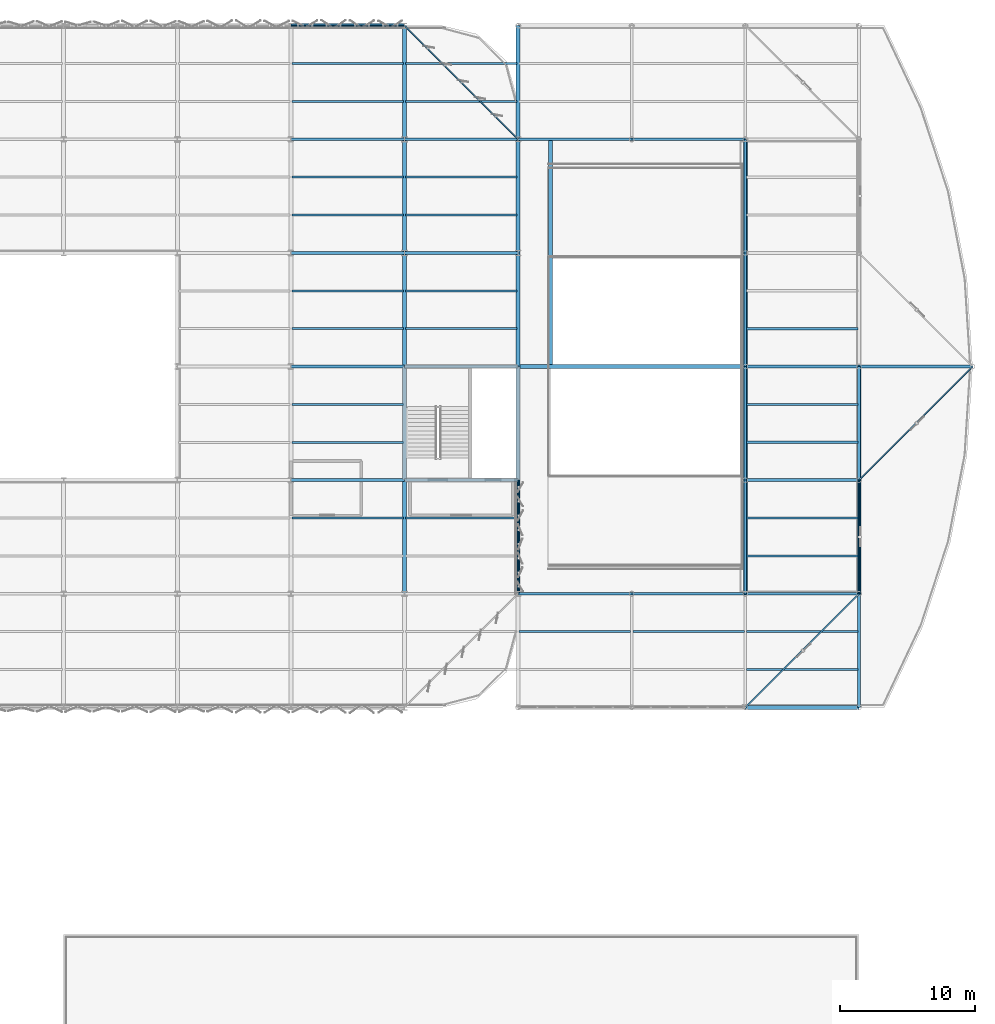
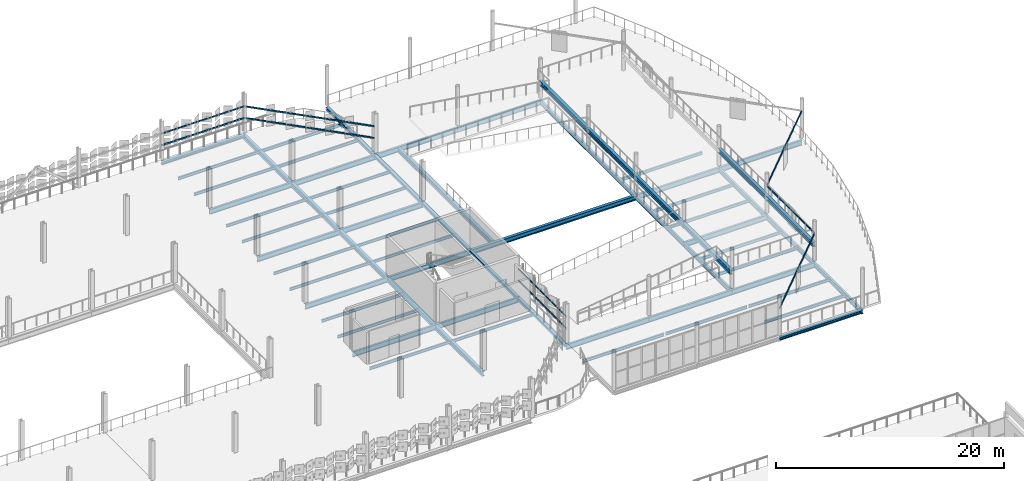
# One storey, part 132 of 184: 77 beams.
"""IFC4 building model written with IfcOpenShell, lengths in metres."""

from ifc_helpers import new_model, si_unit, direction, frame, origin, origin_2d, place, context, subcontext, project, spatial, hollow_rectangle, i_section, extrude, material, material_profile, profile_set, type_object, element, save


model = new_model("IFC4")

# Units and contexts
model_context = context("Model", 3, precision=1e-05, world=origin(), true_north=direction((0.0, 1.0)))
body_context = subcontext(model_context, "Body", "Model", "MODEL_VIEW")
ifc_project = project(units=[si_unit("LENGTHUNIT", "METRE"), si_unit("AREAUNIT", "SQUARE_METRE"), si_unit("VOLUMEUNIT", "CUBIC_METRE"), si_unit("PLANEANGLEUNIT", "RADIAN"), si_unit("MASSUNIT", "GRAM", prefix="KILO")], contexts=[model_context])

# Site, building, storey
site_placement = place(None, origin())
site = spatial("IfcSite", under=ifc_project, at=site_placement, CompositionType="ELEMENT")
building_placement = place(site_placement, origin())
building = spatial("IfcBuilding", under=site, at=building_placement, Name="Qalvenar Corner Mobility Hub", CompositionType="ELEMENT")
storey_placement = place(building_placement, frame((0.0, 0.0, 9.0)))
storey = spatial("IfcBuildingStorey", under=building, at=storey_placement, Name="L02", CompositionType="ELEMENT", Elevation=9.0)

# Beams
ifc_material = material(Name="Steel S355", Category="steel")
ifc_material_profile_1 = material_profile(ifc_material, i_section(OverallWidth=0.300048828125, OverallDepth=0.489990234375, WebThickness=0.011962890625, FlangeThickness=0.02294921875, FilletRadius=0.027099609375, at=origin_2d()), Name="HEA500")
ifc_profile_set_1 = profile_set([ifc_material_profile_1], Name="Steel S355")
beam_type_1 = type_object("IfcBeamType", Name="BM-HEA500", PredefinedType="BEAM", material=ifc_profile_set_1)
for number, where, z_axis, x_axis, name in (
    (1, (134.39990234375, 75.60009765625, -0.485107421875), (0.0, 1.0, 0.0), (-1.0, 0.0, 0.0), "Primary Steel Girder GY-2011"),
    (2, (134.39990234375, 84.0, -0.485107421875), (0.0, 1.0, 0.0), (-1.0, 0.0, 0.0), "Primary Steel Girder GY-2012"),
):
    element("IfcBeam", number, at=place(storey_placement, frame(where, z_axis=z_axis, x_axis=x_axis)), inside=storey, type_object=beam_type_1, Name=name, PredefinedType="BEAM", context=body_context, shape_type="SweptSolid", body=[
        extrude(i_section(OverallWidth=0.300048828125, OverallDepth=0.489990234375, WebThickness=0.011962890625, FlangeThickness=0.02294921875, FilletRadius=0.027099609375, at=origin_2d()), origin(), (0.0, 0.0, 1.0), 8.39990234375),
    ])
beam_1_placement = place(storey_placement, frame((134.39990234375, 92.39990234375, -0.485107421875), z_axis=(0.0, 1.0, 0.0), x_axis=(-1.0, 0.0, 0.0)))
element("IfcBeam", 3, at=beam_1_placement, inside=storey, type_object=beam_type_1, Name="Primary Steel Girder GY-2013", PredefinedType="BEAM", context=body_context, shape_type="SweptSolid", body=[
    extrude(i_section(OverallWidth=0.300048828125, OverallDepth=0.489990234375, WebThickness=0.011962890625, FlangeThickness=0.02294921875, FilletRadius=0.027099609375, at=origin_2d()), origin(), (0.0, 0.0, 1.0), 8.400146484375),
])
beam_2_placement = place(storey_placement, frame((134.39990234375, 100.800048828125, -0.485107421875), z_axis=(0.0, 1.0, 0.0), x_axis=(-1.0, 0.0, 0.0)))
element("IfcBeam", 4, at=beam_2_placement, inside=storey, type_object=beam_type_1, Name="Primary Steel Girder GY-2014", PredefinedType="BEAM", context=body_context, shape_type="SweptSolid", body=[
    extrude(i_section(OverallWidth=0.300048828125, OverallDepth=0.489990234375, WebThickness=0.011962890625, FlangeThickness=0.02294921875, FilletRadius=0.027099609375, at=origin_2d()), origin(), (0.0, 0.0, 1.0), 8.39990234375),
])
beam_3_placement = place(storey_placement, frame((134.39990234375, 109.199951171875, -0.485107421875), z_axis=(0.0, 1.0, 0.0), x_axis=(-1.0, 0.0, 0.0)))
element("IfcBeam", 5, at=beam_3_placement, inside=storey, type_object=beam_type_1, Name="Primary Steel Girder GY-2015", PredefinedType="BEAM", context=body_context, shape_type="SweptSolid", body=[
    extrude(i_section(OverallWidth=0.300048828125, OverallDepth=0.489990234375, WebThickness=0.011962890625, FlangeThickness=0.02294921875, FilletRadius=0.027099609375, at=origin_2d()), origin(), (0.0, 0.0, 1.0), 8.400146484375),
])
for number, where, z_axis, x_axis, name in (
    (6, (142.800048828125, 92.39990234375, -0.512939453125), (1.0, 0.0, 0.0), (0.0, 1.0, 0.0), "Ramp Well Central Tie Girder L02"),
    (7, (145.199951171875, 92.39990234375, -0.512939453125), (0.0, 1.0, 0.0), (-1.0, 0.0, 0.0), "Ramp West Header Girder L02-HI"),
):
    element("IfcBeam", number, at=place(storey_placement, frame(where, z_axis=z_axis, x_axis=x_axis)), inside=storey, type_object=beam_type_1, Name=name, PredefinedType="BEAM", context=body_context, shape_type="SweptSolid", body=[
        extrude(i_section(OverallWidth=0.300048828125, OverallDepth=0.489990234375, WebThickness=0.011962890625, FlangeThickness=0.02294921875, FilletRadius=0.027099609375, at=origin_2d()), origin(), (0.0, 0.0, 1.0), 16.800048828125),
    ])
for number, where, z_axis, x_axis, name in (
    (8, (159.60009765625, 75.60009765625, 1.596923828125), (0.0, 1.0, 0.0), (-1.0, 0.0, 0.0), "Ramp Mid-Landing Girder L02-159-75"),
    (9, (159.60009765625, 84.0, 1.596923828125), (0.0, 1.0, 0.0), (-1.0, 0.0, 0.0), "Ramp Mid-Landing Girder L02-159-84"),
):
    element("IfcBeam", number, at=place(storey_placement, frame(where, z_axis=z_axis, x_axis=x_axis)), inside=storey, type_object=beam_type_1, Name=name, PredefinedType="BEAM", context=body_context, shape_type="SweptSolid", body=[
        extrude(i_section(OverallWidth=0.300048828125, OverallDepth=0.489990234375, WebThickness=0.011962890625, FlangeThickness=0.02294921875, FilletRadius=0.027099609375, at=origin_2d()), origin(), (0.0, 0.0, 1.0), 8.39990234375),
    ])
beam_4_placement = place(storey_placement, frame((159.60009765625, 92.39990234375, 1.596923828125), z_axis=(0.0, 1.0, 0.0), x_axis=(-1.0, 0.0, 0.0)))
element("IfcBeam", 10, at=beam_4_placement, inside=storey, type_object=beam_type_1, Name="Ramp Mid-Landing Girder L02-159-92", PredefinedType="BEAM", context=body_context, shape_type="SweptSolid", body=[
    extrude(i_section(OverallWidth=0.300048828125, OverallDepth=0.489990234375, WebThickness=0.011962890625, FlangeThickness=0.02294921875, FilletRadius=0.027099609375, at=origin_2d()), origin(), (0.0, 0.0, 1.0), 8.400146484375),
])
for number, where, z_axis, x_axis, name in (
    (11, (159.60009765625, 100.800048828125, 1.596923828125), (0.0, 1.0, 0.0), (-1.0, 0.0, 0.0), "Ramp Mid-Landing Girder L02-159-100"),
    (12, (168.0, 75.60009765625, 1.635009765625), (0.0, 1.0, 0.0), (-1.0, 0.0, 0.0), "Ramp Mid-Landing Girder L02-168-75"),
    (13, (168.0, 84.0, 1.635009765625), (0.0, 1.0, 0.0), (-1.0, 0.0, 0.0), "Ramp Mid-Landing Girder L02-168-84"),
):
    element("IfcBeam", number, at=place(storey_placement, frame(where, z_axis=z_axis, x_axis=x_axis)), inside=storey, type_object=beam_type_1, Name=name, PredefinedType="BEAM", context=body_context, shape_type="SweptSolid", body=[
        extrude(i_section(OverallWidth=0.300048828125, OverallDepth=0.489990234375, WebThickness=0.011962890625, FlangeThickness=0.02294921875, FilletRadius=0.027099609375, at=origin_2d()), origin(), (0.0, 0.0, 1.0), 8.39990234375),
    ])
ifc_material_profile_2 = material_profile(ifc_material, i_section(OverallWidth=0.199951171875, OverallDepth=0.5, WebThickness=0.01025390625, FlangeThickness=0.01611328125, FilletRadius=0.02099609375, at=origin_2d()), Name="IPE500")
ifc_profile_set_2 = profile_set([ifc_material_profile_2], Name="Steel S355")
beam_type_2 = type_object("IfcBeamType", Name="BM-IPE500", PredefinedType="BEAM", material=ifc_profile_set_2)
for number, where, z_axis, x_axis, name in (
    (14, (159.60009765625, 75.60009765625, -0.489990234375), (0.0, 1.0, 0.0), (-1.0, 0.0, 0.0), "Primary Steel Girder GY-2133"),
    (15, (159.60009765625, 84.0, -0.489990234375), (0.0, 1.0, 0.0), (-1.0, 0.0, 0.0), "Primary Steel Girder GY-2134"),
):
    element("IfcBeam", number, at=place(storey_placement, frame(where, z_axis=z_axis, x_axis=x_axis)), inside=storey, type_object=beam_type_2, Name=name, PredefinedType="BEAM", context=body_context, shape_type="SweptSolid", body=[
        extrude(i_section(OverallWidth=0.199951171875, OverallDepth=0.5, WebThickness=0.01025390625, FlangeThickness=0.01611328125, FilletRadius=0.02099609375, at=origin_2d()), origin(), (0.0, 0.0, 1.0), 8.39990234375),
    ])
beam_5_placement = place(storey_placement, frame((159.60009765625, 92.39990234375, -0.489990234375), z_axis=(0.0, 1.0, 0.0), x_axis=(-1.0, 0.0, 0.0)))
element("IfcBeam", 16, at=beam_5_placement, inside=storey, type_object=beam_type_2, Name="Primary Steel Girder GY-2135", PredefinedType="BEAM", context=body_context, shape_type="SweptSolid", body=[
    extrude(i_section(OverallWidth=0.199951171875, OverallDepth=0.5, WebThickness=0.01025390625, FlangeThickness=0.01611328125, FilletRadius=0.02099609375, at=origin_2d()), origin(), (0.0, 0.0, 1.0), 8.400146484375),
])
beam_6_placement = place(storey_placement, frame((159.60009765625, 100.800048828125, -0.489990234375), z_axis=(0.0, 1.0, 0.0), x_axis=(-1.0, 0.0, 0.0)))
element("IfcBeam", 17, at=beam_6_placement, inside=storey, type_object=beam_type_2, Name="Primary Steel Girder GY-2136", PredefinedType="BEAM", context=body_context, shape_type="SweptSolid", body=[
    extrude(i_section(OverallWidth=0.199951171875, OverallDepth=0.5, WebThickness=0.01025390625, FlangeThickness=0.01611328125, FilletRadius=0.02099609375, at=origin_2d()), origin(), (0.0, 0.0, 1.0), 8.39990234375),
])
beam_7_placement = place(storey_placement, frame((168.0, 67.199951171875, -0.489990234375), z_axis=(0.0, 1.0, 0.0), x_axis=(-1.0, 0.0, 0.0)))
element("IfcBeam", 18, at=beam_7_placement, inside=storey, type_object=beam_type_2, Name="Primary Steel Girder GY-2138", PredefinedType="BEAM", context=body_context, shape_type="SweptSolid", body=[
    extrude(i_section(OverallWidth=0.199951171875, OverallDepth=0.5, WebThickness=0.01025390625, FlangeThickness=0.01611328125, FilletRadius=0.02099609375, at=origin_2d()), origin(), (0.0, 0.0, 1.0), 8.400146484375),
])
for number, where, z_axis, x_axis, name in (
    (19, (168.0, 75.60009765625, -0.489990234375), (0.0, 1.0, 0.0), (-1.0, 0.0, 0.0), "Primary Steel Girder GY-2139"),
    (20, (168.0, 84.0, -0.489990234375), (0.0, 1.0, 0.0), (-1.0, 0.0, 0.0), "Primary Steel Girder GY-2140"),
):
    element("IfcBeam", number, at=place(storey_placement, frame(where, z_axis=z_axis, x_axis=x_axis)), inside=storey, type_object=beam_type_2, Name=name, PredefinedType="BEAM", context=body_context, shape_type="SweptSolid", body=[
        extrude(i_section(OverallWidth=0.199951171875, OverallDepth=0.5, WebThickness=0.01025390625, FlangeThickness=0.01611328125, FilletRadius=0.02099609375, at=origin_2d()), origin(), (0.0, 0.0, 1.0), 8.39990234375),
    ])
ifc_material_profile_3 = material_profile(ifc_material, i_section(OverallWidth=0.2099609375, OverallDepth=0.550048828125, WebThickness=0.010986328125, FlangeThickness=0.01708984375, FilletRadius=0.02392578125, at=origin_2d()), Name="IPE550")
ifc_profile_set_3 = profile_set([ifc_material_profile_3], Name="Steel S355")
beam_type_3 = type_object("IfcBeamType", Name="BM-IPE550", PredefinedType="BEAM", material=ifc_profile_set_3)
beam_8_placement = place(storey_placement, frame((126.0, 84.0, -0.514892578125), z_axis=(1.0, 0.0, 0.0), x_axis=(0.0, 1.0, 0.0)))
element("IfcBeam", 21, at=beam_8_placement, inside=storey, type_object=beam_type_3, Name="Primary Steel Girder GX-1928", PredefinedType="BEAM", context=body_context, shape_type="SweptSolid", body=[
    extrude(i_section(OverallWidth=0.2099609375, OverallDepth=0.550048828125, WebThickness=0.010986328125, FlangeThickness=0.01708984375, FilletRadius=0.02392578125, at=origin_2d()), origin(), (0.0, 0.0, 1.0), 8.39990234375),
])
beam_9_placement = place(storey_placement, frame((134.39990234375, 84.0, -0.514892578125), z_axis=(1.0, 0.0, 0.0), x_axis=(0.0, 1.0, 0.0)))
element("IfcBeam", 22, at=beam_9_placement, inside=storey, type_object=beam_type_3, Name="Primary Steel Girder GX-1929", PredefinedType="BEAM", context=body_context, shape_type="SweptSolid", body=[
    extrude(i_section(OverallWidth=0.2099609375, OverallDepth=0.550048828125, WebThickness=0.010986328125, FlangeThickness=0.01708984375, FilletRadius=0.02392578125, at=origin_2d()), origin(), (0.0, 0.0, 1.0), 8.400146484375),
])
beam_10_placement = place(storey_placement, frame((126.0, 92.39990234375, -0.514892578125), z_axis=(1.0, 0.0, 0.0), x_axis=(0.0, 1.0, 0.0)))
element("IfcBeam", 23, at=beam_10_placement, inside=storey, type_object=beam_type_3, Name="Primary Steel Girder GX-1934", PredefinedType="BEAM", context=body_context, shape_type="SweptSolid", body=[
    extrude(i_section(OverallWidth=0.2099609375, OverallDepth=0.550048828125, WebThickness=0.010986328125, FlangeThickness=0.01708984375, FilletRadius=0.02392578125, at=origin_2d()), origin(), (0.0, 0.0, 1.0), 8.39990234375),
])
beam_11_placement = place(storey_placement, frame((134.39990234375, 92.39990234375, -0.514892578125), z_axis=(1.0, 0.0, 0.0), x_axis=(0.0, 1.0, 0.0)))
element("IfcBeam", 24, at=beam_11_placement, inside=storey, type_object=beam_type_3, Name="Primary Steel Girder GX-1935", PredefinedType="BEAM", context=body_context, shape_type="SweptSolid", body=[
    extrude(i_section(OverallWidth=0.2099609375, OverallDepth=0.550048828125, WebThickness=0.010986328125, FlangeThickness=0.01708984375, FilletRadius=0.02392578125, at=origin_2d()), origin(), (0.0, 0.0, 1.0), 8.400146484375),
])
beam_12_placement = place(storey_placement, frame((126.0, 100.800048828125, -0.514892578125), z_axis=(1.0, 0.0, 0.0), x_axis=(0.0, 1.0, 0.0)))
element("IfcBeam", 25, at=beam_12_placement, inside=storey, type_object=beam_type_3, Name="Primary Steel Girder GX-1944", PredefinedType="BEAM", context=body_context, shape_type="SweptSolid", body=[
    extrude(i_section(OverallWidth=0.2099609375, OverallDepth=0.550048828125, WebThickness=0.010986328125, FlangeThickness=0.01708984375, FilletRadius=0.02392578125, at=origin_2d()), origin(), (0.0, 0.0, 1.0), 8.39990234375),
])
beam_13_placement = place(storey_placement, frame((134.39990234375, 100.800048828125, -0.514892578125), z_axis=(1.0, 0.0, 0.0), x_axis=(0.0, 1.0, 0.0)))
element("IfcBeam", 26, at=beam_13_placement, inside=storey, type_object=beam_type_3, Name="Primary Steel Girder GX-1945", PredefinedType="BEAM", context=body_context, shape_type="SweptSolid", body=[
    extrude(i_section(OverallWidth=0.2099609375, OverallDepth=0.550048828125, WebThickness=0.010986328125, FlangeThickness=0.01708984375, FilletRadius=0.02392578125, at=origin_2d()), origin(), (0.0, 0.0, 1.0), 8.400146484375),
])
beam_14_placement = place(storey_placement, frame((126.0, 109.199951171875, -0.514892578125), z_axis=(1.0, 0.0, 0.0), x_axis=(0.0, 1.0, 0.0)))
element("IfcBeam", 27, at=beam_14_placement, inside=storey, type_object=beam_type_3, Name="Primary Steel Girder GX-1954", PredefinedType="BEAM", context=body_context, shape_type="SweptSolid", body=[
    extrude(i_section(OverallWidth=0.2099609375, OverallDepth=0.550048828125, WebThickness=0.010986328125, FlangeThickness=0.01708984375, FilletRadius=0.02392578125, at=origin_2d()), origin(), (0.0, 0.0, 1.0), 8.39990234375),
])
beam_15_placement = place(storey_placement, frame((134.39990234375, 109.199951171875, -0.514892578125), z_axis=(1.0, 0.0, 0.0), x_axis=(0.0, 1.0, 0.0)))
element("IfcBeam", 28, at=beam_15_placement, inside=storey, type_object=beam_type_3, Name="Primary Steel Girder GX-1955", PredefinedType="BEAM", context=body_context, shape_type="SweptSolid", body=[
    extrude(i_section(OverallWidth=0.2099609375, OverallDepth=0.550048828125, WebThickness=0.010986328125, FlangeThickness=0.01708984375, FilletRadius=0.02392578125, at=origin_2d()), origin(), (0.0, 0.0, 1.0), 8.400146484375),
])
beam_16_placement = place(storey_placement, frame((142.800048828125, 75.60009765625, -0.514892578125), z_axis=(1.0, 0.0, 0.0), x_axis=(0.0, 1.0, 0.0)))
element("IfcBeam", 29, at=beam_16_placement, inside=storey, type_object=beam_type_3, Name="Primary Steel Girder GX-2115", PredefinedType="BEAM", context=body_context, shape_type="SweptSolid", body=[
    extrude(i_section(OverallWidth=0.2099609375, OverallDepth=0.550048828125, WebThickness=0.010986328125, FlangeThickness=0.01708984375, FilletRadius=0.02392578125, at=origin_2d()), origin(), (0.0, 0.0, 1.0), 8.39990234375),
])
beam_17_placement = place(storey_placement, frame((151.199951171875, 75.60009765625, -0.514892578125), z_axis=(1.0, 0.0, 0.0), x_axis=(0.0, 1.0, 0.0)))
element("IfcBeam", 30, at=beam_17_placement, inside=storey, type_object=beam_type_3, Name="Primary Steel Girder GX-2116", PredefinedType="BEAM", context=body_context, shape_type="SweptSolid", body=[
    extrude(i_section(OverallWidth=0.2099609375, OverallDepth=0.550048828125, WebThickness=0.010986328125, FlangeThickness=0.01708984375, FilletRadius=0.02392578125, at=origin_2d()), origin(), (0.0, 0.0, 1.0), 8.400146484375),
])
for number, where, z_axis, x_axis, name in (
    (31, (159.60009765625, 75.60009765625, -0.514892578125), (1.0, 0.0, 0.0), (0.0, 1.0, 0.0), "Primary Steel Girder GX-2117"),
    (32, (159.60009765625, 84.0, -0.514892578125), (1.0, 0.0, 0.0), (0.0, 1.0, 0.0), "Primary Steel Girder GX-2118"),
    (33, (159.60009765625, 92.39990234375, -0.514892578125), (1.0, 0.0, 0.0), (0.0, 1.0, 0.0), "Primary Steel Girder GX-2119"),
    (34, (168.0, 92.39990234375, -0.514892578125), (1.0, 0.0, 0.0), (0.0, 1.0, 0.0), "Primary Steel Girder GX-2120"),
    (35, (142.800048828125, 109.199951171875, -0.514892578125), (1.0, 0.0, 0.0), (0.0, 1.0, 0.0), "Primary Steel Girder GX-2122"),
):
    element("IfcBeam", number, at=place(storey_placement, frame(where, z_axis=z_axis, x_axis=x_axis)), inside=storey, type_object=beam_type_3, Name=name, PredefinedType="BEAM", context=body_context, shape_type="SweptSolid", body=[
        extrude(i_section(OverallWidth=0.2099609375, OverallDepth=0.550048828125, WebThickness=0.010986328125, FlangeThickness=0.01708984375, FilletRadius=0.02392578125, at=origin_2d()), origin(), (0.0, 0.0, 1.0), 8.39990234375),
    ])
beam_18_placement = place(storey_placement, frame((151.199951171875, 109.199951171875, -0.514892578125), z_axis=(1.0, 0.0, 0.0), x_axis=(0.0, 1.0, 0.0)))
element("IfcBeam", 36, at=beam_18_placement, inside=storey, type_object=beam_type_3, Name="Primary Steel Girder GX-2123", PredefinedType="BEAM", context=body_context, shape_type="SweptSolid", body=[
    extrude(i_section(OverallWidth=0.2099609375, OverallDepth=0.550048828125, WebThickness=0.010986328125, FlangeThickness=0.01708984375, FilletRadius=0.02392578125, at=origin_2d()), origin(), (0.0, 0.0, 1.0), 8.400146484375),
])
ifc_material_profile_4 = material_profile(ifc_material, i_section(OverallWidth=0.14990234375, OverallDepth=0.300048828125, WebThickness=0.007080078125, FlangeThickness=0.0107421875, FilletRadius=0.014892578125, at=origin_2d()), Name="IPE300")
ifc_profile_set_4 = profile_set([ifc_material_profile_4], Name="Steel S355")
beam_type_4 = type_object("IfcBeamType", Name="BM-JST300", PredefinedType="JOIST", material=ifc_profile_set_4)
for number, where, z_axis, x_axis, name in (
    (37, (126.077880859375, 81.199951171875, -0.389892578125), (1.0, 0.0, 0.0), (0.0, 1.0, 0.0), "Composite Floor Joist J-2097"),
    (38, (126.077880859375, 86.800048828125, -0.389892578125), (1.0, 0.0, 0.0), (0.0, 1.0, 0.0), "Composite Floor Joist J-2098"),
    (39, (126.077880859375, 89.60009765625, -0.389892578125), (1.0, 0.0, 0.0), (0.0, 1.0, 0.0), "Composite Floor Joist J-2099"),
    (40, (126.077880859375, 95.199951171875, -0.389892578125), (1.0, 0.0, 0.0), (0.0, 1.0, 0.0), "Composite Floor Joist J-2100"),
    (41, (126.077880859375, 98.0, -0.389892578125), (1.0, 0.0, 0.0), (0.0, 1.0, 0.0), "Composite Floor Joist J-2101"),
    (42, (126.077880859375, 103.60009765625, -0.389892578125), (1.0, 0.0, 0.0), (0.0, 1.0, 0.0), "Composite Floor Joist J-2102"),
    (43, (126.077880859375, 106.39990234375, -0.389892578125), (1.0, 0.0, 0.0), (0.0, 1.0, 0.0), "Composite Floor Joist J-2103"),
    (44, (126.077880859375, 112.0, -0.389892578125), (1.0, 0.0, 0.0), (0.0, 1.0, 0.0), "Composite Floor Joist J-2104"),
    (45, (126.077880859375, 114.800048828125, -0.389892578125), (1.0, 0.0, 0.0), (0.0, 1.0, 0.0), "Composite Floor Joist J-2105"),
):
    element("IfcBeam", number, at=place(storey_placement, frame(where, z_axis=z_axis, x_axis=x_axis)), inside=storey, type_object=beam_type_4, Name=name, PredefinedType="JOIST", context=body_context, shape_type="SweptSolid", body=[
        extrude(i_section(OverallWidth=0.14990234375, OverallDepth=0.300048828125, WebThickness=0.007080078125, FlangeThickness=0.0107421875, FilletRadius=0.014892578125, at=origin_2d()), origin(), (0.0, 0.0, 1.0), 8.244140625),
    ])
for number, where, z_axis, x_axis, name in (
    (46, (134.47802734375, 81.199951171875, -0.389892578125), (1.0, 0.0, 0.0), (0.0, 1.0, 0.0), "Composite Floor Joist J-2107"),
    (47, (134.47802734375, 95.199951171875, -0.389892578125), (1.0, 0.0, 0.0), (0.0, 1.0, 0.0), "Composite Floor Joist J-2108"),
    (48, (134.47802734375, 98.0, -0.389892578125), (1.0, 0.0, 0.0), (0.0, 1.0, 0.0), "Composite Floor Joist J-2109"),
    (49, (134.47802734375, 103.60009765625, -0.389892578125), (1.0, 0.0, 0.0), (0.0, 1.0, 0.0), "Composite Floor Joist J-2110"),
    (50, (134.47802734375, 106.39990234375, -0.389892578125), (1.0, 0.0, 0.0), (0.0, 1.0, 0.0), "Composite Floor Joist J-2111"),
):
    element("IfcBeam", number, at=place(storey_placement, frame(where, z_axis=z_axis, x_axis=x_axis)), inside=storey, type_object=beam_type_4, Name=name, PredefinedType="JOIST", context=body_context, shape_type="SweptSolid", body=[
        extrude(i_section(OverallWidth=0.14990234375, OverallDepth=0.300048828125, WebThickness=0.007080078125, FlangeThickness=0.0107421875, FilletRadius=0.014892578125, at=origin_2d()), origin(), (0.0, 0.0, 1.0), 8.243896484375),
    ])
ifc_material_profile_5 = material_profile(ifc_material, i_section(OverallWidth=0.1650390625, OverallDepth=0.31005859375, WebThickness=0.005859375, FlangeThickness=0.009765625, FilletRadius=0.011962890625, at=origin_2d()), Name="W310x38.7")
ifc_profile_set_5 = profile_set([ifc_material_profile_5], Name="Steel S355")
beam_type_5 = type_object("IfcBeamType", Name="BM-JST310", PredefinedType="JOIST", material=ifc_profile_set_5)
for number, where, z_axis, x_axis, name in (
    (51, (134.47802734375, 112.0, -0.39501953125), (1.0, 0.0, 0.0), (0.0, 1.0, 0.0), "Composite Floor Joist J-2146"),
    (52, (134.47802734375, 114.800048828125, -0.39501953125), (1.0, 0.0, 0.0), (0.0, 1.0, 0.0), "Composite Floor Joist J-2147"),
):
    element("IfcBeam", number, at=place(storey_placement, frame(where, z_axis=z_axis, x_axis=x_axis)), inside=storey, type_object=beam_type_5, Name=name, PredefinedType="JOIST", context=body_context, shape_type="SweptSolid", body=[
        extrude(i_section(OverallWidth=0.1650390625, OverallDepth=0.31005859375, WebThickness=0.005859375, FlangeThickness=0.009765625, FilletRadius=0.011962890625, at=origin_2d()), origin(), (0.0, 0.0, 1.0), 8.243896484375),
    ])
beam_19_placement = place(storey_placement, frame((142.8779296875, 72.800048828125, -0.39501953125), z_axis=(1.0, 0.0, 0.0), x_axis=(0.0, 1.0, 0.0)))
element("IfcBeam", 53, at=beam_19_placement, inside=storey, type_object=beam_type_5, Name="Composite Floor Joist J-2149", PredefinedType="JOIST", context=body_context, shape_type="SweptSolid", body=[
    extrude(i_section(OverallWidth=0.1650390625, OverallDepth=0.31005859375, WebThickness=0.005859375, FlangeThickness=0.009765625, FilletRadius=0.011962890625, at=origin_2d()), origin(), (0.0, 0.0, 1.0), 8.244140625),
])
beam_20_placement = place(storey_placement, frame((151.278076171875, 72.800048828125, -0.39501953125), z_axis=(1.0, 0.0, 0.0), x_axis=(0.0, 1.0, 0.0)))
element("IfcBeam", 54, at=beam_20_placement, inside=storey, type_object=beam_type_5, Name="Composite Floor Joist J-2153", PredefinedType="JOIST", context=body_context, shape_type="SweptSolid", body=[
    extrude(i_section(OverallWidth=0.1650390625, OverallDepth=0.31005859375, WebThickness=0.005859375, FlangeThickness=0.009765625, FilletRadius=0.011962890625, at=origin_2d()), origin(), (0.0, 0.0, 1.0), 8.243896484375),
])
for number, where, z_axis, x_axis, name in (
    (55, (159.677978515625, 70.0, -0.39501953125), (1.0, 0.0, 0.0), (0.0, 1.0, 0.0), "Composite Floor Joist J-2156"),
    (56, (159.677978515625, 72.800048828125, -0.39501953125), (1.0, 0.0, 0.0), (0.0, 1.0, 0.0), "Composite Floor Joist J-2157"),
    (57, (159.677978515625, 78.39990234375, -0.39501953125), (1.0, 0.0, 0.0), (0.0, 1.0, 0.0), "Composite Floor Joist J-2158"),
    (58, (159.677978515625, 81.199951171875, -0.39501953125), (1.0, 0.0, 0.0), (0.0, 1.0, 0.0), "Composite Floor Joist J-2159"),
    (59, (159.677978515625, 86.800048828125, -0.39501953125), (1.0, 0.0, 0.0), (0.0, 1.0, 0.0), "Composite Floor Joist J-2160"),
    (60, (159.677978515625, 89.60009765625, -0.39501953125), (1.0, 0.0, 0.0), (0.0, 1.0, 0.0), "Composite Floor Joist J-2161"),
    (61, (159.677978515625, 95.199951171875, -0.39501953125), (1.0, 0.0, 0.0), (0.0, 1.0, 0.0), "Composite Floor Joist J-2162"),
):
    element("IfcBeam", number, at=place(storey_placement, frame(where, z_axis=z_axis, x_axis=x_axis)), inside=storey, type_object=beam_type_5, Name=name, PredefinedType="JOIST", context=body_context, shape_type="SweptSolid", body=[
        extrude(i_section(OverallWidth=0.1650390625, OverallDepth=0.31005859375, WebThickness=0.005859375, FlangeThickness=0.009765625, FilletRadius=0.011962890625, at=origin_2d()), origin(), (0.0, 0.0, 1.0), 8.244140625),
    ])
ifc_material_profile_6 = material_profile(ifc_material, i_section(OverallWidth=0.300048828125, OverallDepth=0.2900390625, WebThickness=0.008544921875, FlangeThickness=0.013916015625, FilletRadius=0.027099609375, at=origin_2d()), Name="HEA300")
ifc_profile_set_6 = profile_set([ifc_material_profile_6], Name="Steel S355")
beam_type_6 = type_object("IfcBeamType", Name="BM-SPN300", PredefinedType="SPANDREL", material=ifc_profile_set_6)
for number, where, z_axis, x_axis, name in (
    (62, (142.800048828125, 75.60009765625, -0.385009765625), (0.0, 1.0, 0.0), (-1.0, 0.0, 0.0), "Primary Steel Girder GY-2016"),
    (63, (142.800048828125, 84.0, -0.385009765625), (0.0, 1.0, 0.0), (-1.0, 0.0, 0.0), "Primary Steel Girder GY-2017"),
):
    element("IfcBeam", number, at=place(storey_placement, frame(where, z_axis=z_axis, x_axis=x_axis)), inside=storey, type_object=beam_type_6, Name=name, PredefinedType="SPANDREL", context=body_context, shape_type="SweptSolid", body=[
        extrude(i_section(OverallWidth=0.300048828125, OverallDepth=0.2900390625, WebThickness=0.008544921875, FlangeThickness=0.013916015625, FilletRadius=0.027099609375, at=origin_2d()), origin(), (0.0, 0.0, 1.0), 8.39990234375),
    ])
beam_21_placement = place(storey_placement, frame((142.800048828125, 92.39990234375, -0.385009765625), z_axis=(0.0, 1.0, 0.0), x_axis=(-1.0, 0.0, 0.0)))
element("IfcBeam", 64, at=beam_21_placement, inside=storey, type_object=beam_type_6, Name="Primary Steel Girder GY-2018", PredefinedType="SPANDREL", context=body_context, shape_type="SweptSolid", body=[
    extrude(i_section(OverallWidth=0.300048828125, OverallDepth=0.2900390625, WebThickness=0.008544921875, FlangeThickness=0.013916015625, FilletRadius=0.027099609375, at=origin_2d()), origin(), (0.0, 0.0, 1.0), 8.400146484375),
])
beam_22_placement = place(storey_placement, frame((142.800048828125, 100.800048828125, -0.385009765625), z_axis=(0.0, 1.0, 0.0), x_axis=(-1.0, 0.0, 0.0)))
element("IfcBeam", 65, at=beam_22_placement, inside=storey, type_object=beam_type_6, Name="Primary Steel Girder GY-2019", PredefinedType="SPANDREL", context=body_context, shape_type="SweptSolid", body=[
    extrude(i_section(OverallWidth=0.300048828125, OverallDepth=0.2900390625, WebThickness=0.008544921875, FlangeThickness=0.013916015625, FilletRadius=0.027099609375, at=origin_2d()), origin(), (0.0, 0.0, 1.0), 8.39990234375),
])
beam_23_placement = place(storey_placement, frame((142.800048828125, 109.199951171875, -0.385009765625), z_axis=(0.0, 1.0, 0.0), x_axis=(-1.0, 0.0, 0.0)))
element("IfcBeam", 66, at=beam_23_placement, inside=storey, type_object=beam_type_6, Name="Primary Steel Girder GY-2129", PredefinedType="SPANDREL", context=body_context, shape_type="SweptSolid", body=[
    extrude(i_section(OverallWidth=0.300048828125, OverallDepth=0.2900390625, WebThickness=0.008544921875, FlangeThickness=0.013916015625, FilletRadius=0.027099609375, at=origin_2d()), origin(), (0.0, 0.0, 1.0), 8.400146484375),
])
ifc_material_profile_7 = material_profile(ifc_material, i_section(OverallWidth=0.300048828125, OverallDepth=0.31005859375, WebThickness=0.009033203125, FlangeThickness=0.015380859375, FilletRadius=0.027099609375, at=origin_2d()), Name="HEA320")
ifc_profile_set_7 = profile_set([ifc_material_profile_7], Name="Steel S355")
beam_type_7 = type_object("IfcBeamType", Name="BM-SPN320", PredefinedType="SPANDREL", material=ifc_profile_set_7)
for number, where, z_axis, x_axis, name in (
    (67, (126.0, 117.60009765625, -0.39501953125), (1.0, 0.0, 0.0), (0.0, 1.0, 0.0), "Primary Steel Girder GX-1963"),
    (68, (159.60009765625, 67.199951171875, -0.39501953125), (1.0, 0.0, 0.0), (0.0, 1.0, 0.0), "Primary Steel Girder GX-2114"),
):
    element("IfcBeam", number, at=place(storey_placement, frame(where, z_axis=z_axis, x_axis=x_axis)), inside=storey, type_object=beam_type_7, Name=name, PredefinedType="SPANDREL", context=body_context, shape_type="SweptSolid", body=[
        extrude(i_section(OverallWidth=0.300048828125, OverallDepth=0.31005859375, WebThickness=0.009033203125, FlangeThickness=0.015380859375, FilletRadius=0.027099609375, at=origin_2d()), origin(), (0.0, 0.0, 1.0), 8.39990234375),
    ])
ifc_material_profile_8 = material_profile(ifc_material, hollow_rectangle(XDim=0.080078125, YDim=0.139892578125, WallThickness=0.0048828125, InnerFilletRadius=0.0048828125, OuterFilletRadius=0.010009765625, at=origin_2d()), Name="RHS140x80x5")
ifc_profile_set_8 = profile_set([ifc_material_profile_8], Name="Steel S355")
beam_type_8 = type_object("IfcBeamType", Name="FR-RAIL140", PredefinedType="SPANDREL", material=ifc_profile_set_8)
for number, where, z_axis, x_axis, name in (
    (69, (134.39990234375, 117.60009765625, 2.75), (-1.0, 0.0, 0.0), (0.0, -1.0, 0.0), "Facade Hinge Support Rail FR-L02-0066"),
    (70, (142.800048828125, 75.60009765625, 2.75), (0.0, 1.0, 0.0), (-1.0, 0.0, 0.0), "Facade Hinge Support Rail FR-L02-0088"),
):
    element("IfcBeam", number, at=place(storey_placement, frame(where, z_axis=z_axis, x_axis=x_axis)), inside=storey, type_object=beam_type_8, Name=name, PredefinedType="SPANDREL", context=body_context, shape_type="SweptSolid", body=[
        extrude(hollow_rectangle(XDim=0.080078125, YDim=0.139892578125, WallThickness=0.0048828125, InnerFilletRadius=0.0048828125, OuterFilletRadius=0.010009765625, at=origin_2d()), origin(), (0.0, 0.0, 1.0), 8.39990234375),
    ])
ifc_material_profile_9 = material_profile(ifc_material, hollow_rectangle(XDim=0.10009765625, YDim=0.14990234375, WallThickness=0.00634765625, InnerFilletRadius=0.00634765625, OuterFilletRadius=0.0126953125, at=origin_2d()), Name="RHS150x100x6.3")
ifc_profile_set_9 = profile_set([ifc_material_profile_9], Name="Steel S355")
beam_type_9 = type_object("IfcBeamType", Name="FR-RAIL150", PredefinedType="SPANDREL", material=ifc_profile_set_9)
for number, where, z_axis, x_axis, name in (
    (71, (142.800048828125, 109.199951171875, 1.5), (-0.707106781187, 0.707106781187, 0.0), (-0.707106781187, -0.707106781187, 0.0), "Corner Facade Rail FRC-L02-0093"),
    (72, (142.800048828125, 109.199951171875, 2.75), (-0.707106781187, 0.707106781187, 0.0), (-0.707106781187, -0.707106781187, 0.0), "Corner Facade Rail FRC-L02-0094"),
):
    element("IfcBeam", number, at=place(storey_placement, frame(where, z_axis=z_axis, x_axis=x_axis)), inside=storey, type_object=beam_type_9, Name=name, PredefinedType="SPANDREL", context=body_context, shape_type="SweptSolid", body=[
        extrude(hollow_rectangle(XDim=0.10009765625, YDim=0.14990234375, WallThickness=0.00634765625, InnerFilletRadius=0.00634765625, OuterFilletRadius=0.0126953125, at=origin_2d()), origin(), (0.0, 0.0, 1.0), 11.879638671875),
    ])
beam_24_placement = place(storey_placement, frame((159.60009765625, 67.199951171875, 2.85009765625), z_axis=(0.707096505339, 0.707117056885, 0.0), x_axis=(-0.707117056885, 0.707096505339, 0.0)))
element("IfcBeam", 73, at=beam_24_placement, inside=storey, type_object=beam_type_9, Name="Rotunda Screen Rail V2-L02-1", PredefinedType="SPANDREL", context=body_context, shape_type="SweptSolid", body=[
    extrude(hollow_rectangle(XDim=0.10009765625, YDim=0.14990234375, WallThickness=0.00634765625, InnerFilletRadius=0.00634765625, OuterFilletRadius=0.0126953125, at=origin_2d()), origin(), (0.0, 0.0, 1.0), 11.87939453125),
])
beam_25_placement = place(storey_placement, frame((168.0, 75.60009765625, 2.85009765625), z_axis=(0.0, 1.0, 0.0), x_axis=(-1.0, 0.0, 0.0)))
element("IfcBeam", 74, at=beam_25_placement, inside=storey, type_object=beam_type_9, Name="Rotunda Screen Rail V2-L02-2", PredefinedType="SPANDREL", context=body_context, shape_type="SweptSolid", body=[
    extrude(hollow_rectangle(XDim=0.10009765625, YDim=0.14990234375, WallThickness=0.00634765625, InnerFilletRadius=0.00634765625, OuterFilletRadius=0.0126953125, at=origin_2d()), origin(), (0.0, 0.0, 1.0), 8.39990234375),
])
beam_26_placement = place(storey_placement, frame((168.0, 84.0, 2.85009765625), z_axis=(0.707106781187, 0.707106781187, 0.0), x_axis=(-0.707106781187, 0.707106781187, 0.0)))
element("IfcBeam", 75, at=beam_26_placement, inside=storey, type_object=beam_type_9, Name="Rotunda Screen Rail V2-L02-3", PredefinedType="SPANDREL", context=body_context, shape_type="SweptSolid", body=[
    extrude(hollow_rectangle(XDim=0.10009765625, YDim=0.14990234375, WallThickness=0.00634765625, InnerFilletRadius=0.00634765625, OuterFilletRadius=0.0126953125, at=origin_2d()), origin(), (0.0, 0.0, 1.0), 11.879150390625),
])
ifc_material_profile_10 = material_profile(ifc_material, hollow_rectangle(XDim=0.090087890625, YDim=0.159912109375, WallThickness=0.00634765625, InnerFilletRadius=0.00634765625, OuterFilletRadius=0.0126953125, at=origin_2d()), Name="RHS160x90x6.3")
ifc_profile_set_10 = profile_set([ifc_material_profile_10], Name="Steel S355")
beam_type_10 = type_object("IfcBeamType", Name="FR-RAIL160", PredefinedType="SPANDREL", material=ifc_profile_set_10)
for number, where, z_axis, x_axis, name in (
    (76, (134.39990234375, 117.60009765625, 1.5), (-1.0, 0.0, 0.0), (0.0, -1.0, 0.0), "Facade Hinge Support Rail FR-L02-0065"),
    (77, (142.800048828125, 75.60009765625, 1.5), (0.0, 1.0, 0.0), (-1.0, 0.0, 0.0), "Facade Hinge Support Rail FR-L02-0087"),
):
    element("IfcBeam", number, at=place(storey_placement, frame(where, z_axis=z_axis, x_axis=x_axis)), inside=storey, type_object=beam_type_10, Name=name, PredefinedType="SPANDREL", context=body_context, shape_type="SweptSolid", body=[
        extrude(hollow_rectangle(XDim=0.090087890625, YDim=0.159912109375, WallThickness=0.00634765625, InnerFilletRadius=0.00634765625, OuterFilletRadius=0.0126953125, at=origin_2d()), origin(), (0.0, 0.0, 1.0), 8.39990234375),
    ])

save(model, "model.ifc")
